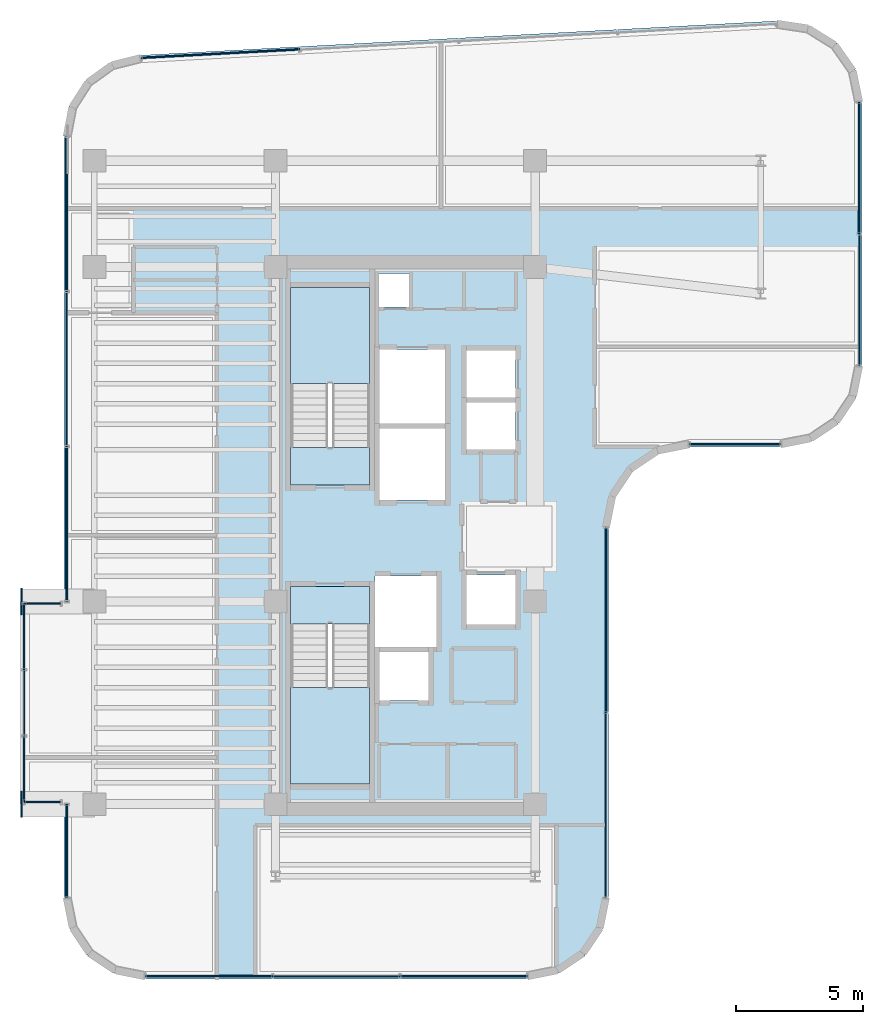
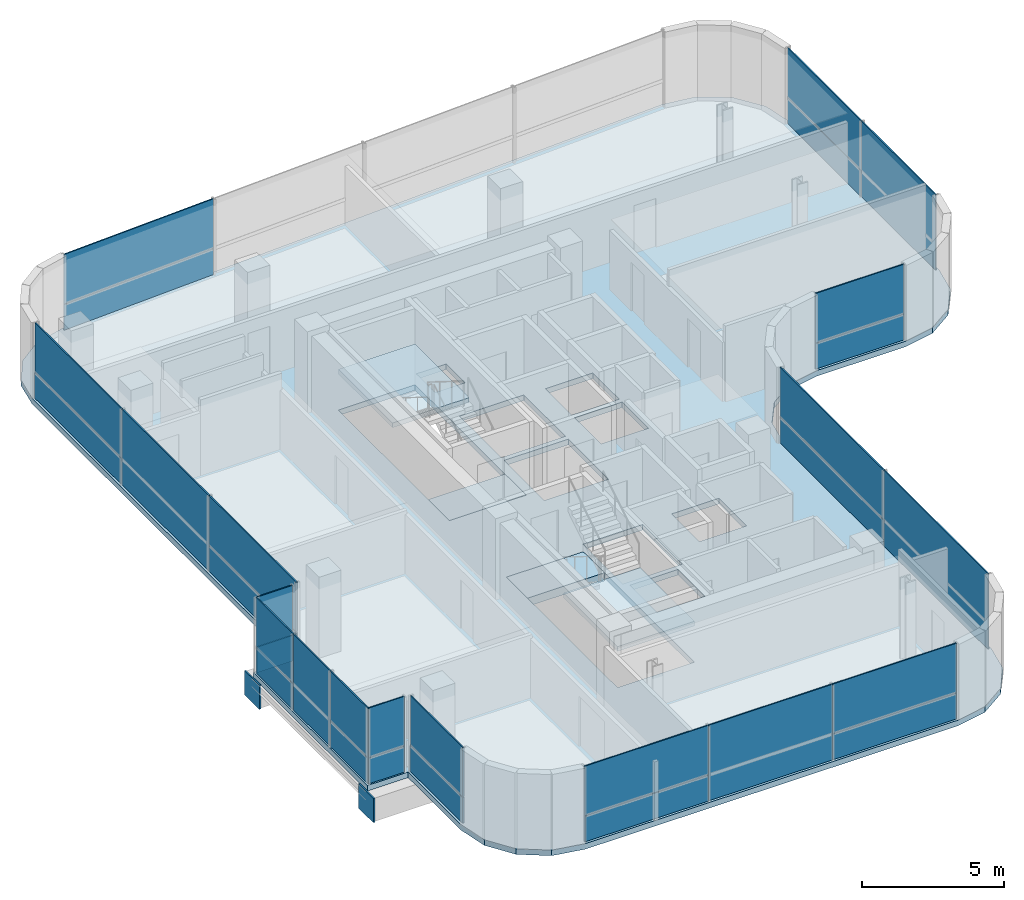
# One storey, part 17 of 22: 33 plates, 5 slabs, 12 elements without a shape of their own.
"""IFC4 building model written with IfcOpenShell, lengths in metres."""

import ifcopenshell
import ifcopenshell.guid

model = None  # the IFC model being written
_history = None  # IfcOwnerHistory: only IFC2X3 demands one
_inside = {}  # id of a spatial element -> (the spatial element, [elements in it])
_under = {}  # id of a project, library or spatial element -> (it, [spatial elements below it])
_declared = {}  # id of a project -> (the project, [libraries it declares])
_typed = {}  # id of a type object -> (the type object, [elements of that type])
_made_of = {}  # id of a material, layer set ... -> (it, [elements and type objects made of it])


def new_model(schema):
    """Start an empty IFC model of exactly this schema.

    Asked for "IFC4X3", IfcOpenShell would pick the latest addendum, in which some entities
    have other attributes; the version numbers below select the first issue.
    IFC2X3 requires an IfcOwnerHistory on every rooted entity: one is made here for all.
    """
    global model, _history
    if schema == "IFC4X3":
        model = ifcopenshell.file(schema_version=(4, 3, 0, 0))
    else:
        model = ifcopenshell.file(schema=schema)
    _inside.clear()
    _under.clear()
    _declared.clear()
    _typed.clear()
    _made_of.clear()
    _history = None
    if model.schema == "IFC2X3":
        org = make("IfcOrganization", Name="unknown")
        user = make(
            "IfcPersonAndOrganization",
            ThePerson=make("IfcPerson", FamilyName="unknown"),
            TheOrganization=org,
        )
        app = make(
            "IfcApplication",
            ApplicationDeveloper=org,
            Version="unknown",
            ApplicationFullName="unknown",
            ApplicationIdentifier="unknown",
        )
        _history = make(
            "IfcOwnerHistory",
            OwningUser=user,
            OwningApplication=app,
            ChangeAction="ADDED",
            CreationDate=0,
        )
    return model


def make(cls, **values):
    """One entity of the class cls with the attributes given. An attribute that is None is left unset."""
    return model.create_entity(
        cls, **{name: value for name, value in values.items() if value is not None}
    )


def rooted(cls, **values):
    """An entity with a GlobalId (a new one), such as an element, a storey or a relation."""
    return make(cls, GlobalId=ifcopenshell.guid.new(), OwnerHistory=_history, **values)


def si_unit(unit_type, name, prefix=None):
    """IfcSIUnit, for example si_unit("LENGTHUNIT", "METRE", prefix="MILLI")."""
    return make("IfcSIUnit", UnitType=unit_type, Prefix=prefix, Name=name)


def assignment(units):
    """IfcUnitAssignment: the units of a project."""
    return None if units is None else make("IfcUnitAssignment", Units=units)


def point(xyz):
    """IfcCartesianPoint."""
    return None if xyz is None else make("IfcCartesianPoint", Coordinates=xyz)


def direction(xyz):
    """IfcDirection."""
    return None if xyz is None else make("IfcDirection", DirectionRatios=xyz)


def frame(location, z_axis=None, x_axis=None):
    """IfcAxis2Placement3D, a coordinate frame: its origin and axes. An axis left out is left unset."""
    return make(
        "IfcAxis2Placement3D",
        Location=point(location),
        Axis=direction(z_axis),
        RefDirection=direction(x_axis),
    )


def frame_2d(location, x_axis=None):
    """IfcAxis2Placement2D, a coordinate frame in the plane: its origin and x axis."""
    return make(
        "IfcAxis2Placement2D", Location=point(location), RefDirection=direction(x_axis)
    )


def origin():
    """The frame at (0, 0, 0) with its axes left unset."""
    return frame((0.0, 0.0, 0.0))


def origin_2d():
    """The frame at (0, 0) in the plane with its x axis left unset."""
    return frame_2d((0.0, 0.0))


def place(relative_to, where):
    """IfcLocalPlacement: puts the frame where relative to a parent placement (None: the world)."""
    return make(
        "IfcLocalPlacement", PlacementRelTo=relative_to, RelativePlacement=where
    )


def context(
    kind, dimensions, precision=None, world=None, true_north=None, identifier=None
):
    """IfcGeometricRepresentationContext, for example the 3D "Model" context."""
    return make(
        "IfcGeometricRepresentationContext",
        ContextIdentifier=identifier,
        ContextType=kind,
        CoordinateSpaceDimension=dimensions,
        Precision=precision,
        WorldCoordinateSystem=world,
        TrueNorth=true_north,
    )


def subcontext(parent, identifier, kind, view, scale=None):
    """IfcGeometricRepresentationSubContext, for example "Body" below "Model"."""
    return make(
        "IfcGeometricRepresentationSubContext",
        ContextIdentifier=identifier,
        ContextType=kind,
        ParentContext=parent,
        TargetScale=scale,
        TargetView=view,
    )


def project(units=None, contexts=None):
    """IfcProject with its units and contexts."""
    return rooted(
        "IfcProject",
        Name="project",
        RepresentationContexts=contexts,
        UnitsInContext=assignment(units),
    )


def spatial(cls, under=None, at=None, **own):
    """A site, building, storey or space (cls), placed at a placement, below another one or the project."""
    s = rooted(cls, ObjectPlacement=at, **own)
    if under is not None:
        _under.setdefault(under.id(), (under, []))[1].append(s)
    return s


def polyline(points):
    """IfcPolyline through the points."""
    return make("IfcPolyline", Points=[point(p) for p in points])


def profile(cls, at=None, kind="AREA", **sizes):
    """A parametric profile (cls). Its sizes go by their IFC names, for example OverallWidth=200.0."""
    return make(cls, ProfileType=kind, Position=at, **sizes)


def rectangle(**sizes):
    """IfcRectangleProfileDef."""
    return profile("IfcRectangleProfileDef", **sizes)


def outline(outer, holes=None, kind="AREA"):
    """IfcArbitraryClosedProfileDef: a profile drawn as a closed curve; with holes, ...WithVoids."""
    if holes is None:
        return make("IfcArbitraryClosedProfileDef", ProfileType=kind, OuterCurve=outer)
    return make(
        "IfcArbitraryProfileDefWithVoids",
        ProfileType=kind,
        OuterCurve=outer,
        InnerCurves=holes,
    )


def extrude(swept, where, along, depth):
    """IfcExtrudedAreaSolid: the profile swept, set in the frame where, extruded along a direction by depth."""
    return make(
        "IfcExtrudedAreaSolid",
        SweptArea=swept,
        Position=where,
        ExtrudedDirection=direction(along),
        Depth=depth,
    )


def shape(context_of_items, identifier, shape_type, items):
    """IfcShapeRepresentation: the items that make up one representation, for example the "Body"."""
    return make(
        "IfcShapeRepresentation",
        ContextOfItems=context_of_items,
        RepresentationIdentifier=identifier,
        RepresentationType=shape_type,
        Items=items,
    )


def source(mapping_origin, context_of_items, identifier, shape_type, items):
    """IfcRepresentationMap: a shape defined once, which mapped items show again and again."""
    return make(
        "IfcRepresentationMap",
        MappingOrigin=mapping_origin,
        MappedRepresentation=shape(context_of_items, identifier, shape_type, items),
    )


def transform(
    local_origin,
    x_axis=None,
    y_axis=None,
    z_axis=None,
    scale=None,
    scale2=None,
    scale3=None,
    uniform=True,
):
    """IfcCartesianTransformationOperator3D, or its non-uniform kind. x_axis, y_axis, z_axis: its Axis1, 2, 3."""
    if uniform:
        return make(
            "IfcCartesianTransformationOperator3D",
            Axis1=direction(x_axis),
            Axis2=direction(y_axis),
            LocalOrigin=point(local_origin),
            Scale=scale,
            Axis3=direction(z_axis),
        )
    return make(
        "IfcCartesianTransformationOperator3DnonUniform",
        Axis1=direction(x_axis),
        Axis2=direction(y_axis),
        LocalOrigin=point(local_origin),
        Scale=scale,
        Axis3=direction(z_axis),
        Scale2=scale2,
        Scale3=scale3,
    )


def mapped(mapping_source, mapping_target):
    """IfcMappedItem: shows the shape of a source again, moved by a transform."""
    return make(
        "IfcMappedItem", MappingSource=mapping_source, MappingTarget=mapping_target
    )


def material(Name=None, Category=None):
    """IfcMaterial."""
    return make("IfcMaterial", Name=Name, Category=Category)


def layer(
    of_material, thickness, ventilated=None, Name=None, Category=None, Priority=None
):
    """IfcMaterialLayer: one layer of a wall or slab, of a material (None: an air gap)."""
    return make(
        "IfcMaterialLayer",
        Material=of_material,
        LayerThickness=thickness,
        IsVentilated=ventilated,
        Name=Name,
        Category=Category,
        Priority=Priority,
    )


def layer_set(layers, Name=None):
    """IfcMaterialLayerSet."""
    return make("IfcMaterialLayerSet", MaterialLayers=layers, LayerSetName=Name)


def made_of(thing, what):
    """Note that an element or type object is made of a material, layer set ...; save() writes the relation."""
    if what is not None:
        _made_of.setdefault(what.id(), (what, []))[1].append(thing)
    return thing


def type_object(cls, material=None, **own):
    """A type object (cls), such as IfcWallType, which elements share."""
    return made_of(rooted(cls, **own), material)


def element(
    cls,
    number,
    at=None,
    inside=None,
    cuts=None,
    type_object=None,
    material=None,
    context=None,
    identifier="Body",
    shape_type=None,
    held_by="IfcProductDefinitionShape",
    body=None,
    shapes=None,
    **own,
):
    """One element of the class cls, such as IfcWall. Its Tag is "e" and its number.

    at: its placement. inside: the storey or other place that contains it. cuts: it is an
    opening in that element (IfcRelVoidsElement). A single representation is given by context,
    identifier, shape_type and body (its items); several are given by shapes. held_by: the class
    of the entity that holds the representations. save() writes the other relations.
    """
    e = rooted(cls, Tag="e%d" % number, ObjectPlacement=at, **own)
    if body is not None:
        shapes = [shape(context, identifier, shape_type, body)]
    if shapes is not None:
        e.Representation = make(held_by, Representations=shapes)
    if inside is not None:
        _inside.setdefault(inside.id(), (inside, []))[1].append(e)
    if cuts is not None:
        rooted(
            "IfcRelVoidsElement", RelatingBuildingElement=cuts, RelatedOpeningElement=e
        )
    if type_object is not None:
        _typed.setdefault(type_object.id(), (type_object, []))[1].append(e)
    return made_of(e, material)


def aggregate(whole, parts):
    """IfcRelAggregates: a whole, such as a stair, and the parts it consists of."""
    return rooted("IfcRelAggregates", RelatingObject=whole, RelatedObjects=parts)


def save(model, path):
    """Write the relations noted so far, then the file.

    IfcRelAggregates (storeys below a building ...), IfcRelContainedInSpatialStructure (elements
    in a storey), IfcRelDefinesByType, IfcRelAssociatesMaterial and IfcRelDeclares: one each for
    every whole, place, type object, material and project.
    """
    for whole, parts in _under.values():
        aggregate(whole, parts)
    for where, things in _inside.values():
        rooted(
            "IfcRelContainedInSpatialStructure",
            RelatedElements=things,
            RelatingStructure=where,
        )
    for kind, things in _typed.values():
        rooted("IfcRelDefinesByType", RelatedObjects=things, RelatingType=kind)
    for what, things in _made_of.values():
        rooted("IfcRelAssociatesMaterial", RelatedObjects=things, RelatingMaterial=what)
    for by, libraries in _declared.values():
        rooted("IfcRelDeclares", RelatingContext=by, RelatedDefinitions=libraries)
    model.write(path)


model = new_model("IFC4")

# Units and contexts
model_context = context("Model", 3, precision=1e-05, world=origin(), true_north=direction((0.0, 1.0)))
body_context = subcontext(model_context, "Body", "Model", "MODEL_VIEW")
ifc_project = project(units=[si_unit("LENGTHUNIT", "METRE"), si_unit("AREAUNIT", "SQUARE_METRE"), si_unit("VOLUMEUNIT", "CUBIC_METRE"), si_unit("PLANEANGLEUNIT", "RADIAN"), si_unit("MASSUNIT", "GRAM", prefix="KILO")], contexts=[model_context])

# Site, building, storey
site_placement = place(None, origin())
site = spatial("IfcSite", under=ifc_project, at=site_placement, CompositionType="ELEMENT")
building_placement = place(site_placement, origin())
building = spatial("IfcBuilding", under=site, at=building_placement, Name="Valdorenza Pilgrim Sanctuary Tower", CompositionType="ELEMENT")
storey_placement = place(building_placement, frame((0.0, 0.0, 237.0)))
storey = spatial("IfcBuildingStorey", under=building, at=storey_placement, Name="L61", CompositionType="ELEMENT", Elevation=237.0)

# Slab
ifc_material_1 = material(Name="Concrete C40/50", Category="concrete")
ifc_layer_1 = layer(ifc_material_1, 0.239990234375, Name="Concrete C40/50")
ifc_layer_set_1 = layer_set([ifc_layer_1], Name="Concrete C40/50")
slab_type_1 = type_object("IfcSlabType", Name="SLAB-FLR-220", PredefinedType="FLOOR", material=ifc_layer_set_1)
slab_1_placement = place(storey_placement, frame((0.0, 0.0, -0.239990234375)))
element("IfcSlab", 1, at=slab_1_placement, inside=storey, type_object=slab_type_1, Name="L61 Structural Floor Slab 1", PredefinedType="FLOOR", context=body_context, shape_type="SweptSolid", body=[
    extrude(outline(polyline([(-32.64990234375, -2.60009765625), (-31.0, -2.60009765625), (-31.0, 15.76806640625), (-30.772705078125, 16.95263671875), (-30.122802734375, 17.968994140625), (-29.14306640625, 18.672607421875), (-27.972412109375, 18.96337890625), (-2.872314453125, 20.318115234375), (-1.595947265625, 20.126220703125), (-0.4990234375, 19.445556640625), (0.239501953125, 18.386962890625), (0.5, 17.12255859375), (0.5, 6.699951171875), (0.25634765625, 5.475341796875), (-0.437255859375, 4.437255859375), (-1.475341796875, 3.74365234375), (-2.699951171875, 3.5), (-6.300048828125, 3.5), (-7.524658203125, 3.25634765625), (-8.562744140625, 2.562744140625), (-9.25634765625, 1.524658203125), (-9.5, 0.300048828125), (-9.5, -14.300048828125), (-9.74365234375, -15.524658203125), (-10.437255859375, -16.562744140625), (-11.475341796875, -17.25634765625), (-12.699951171875, -17.5), (-27.800048828125, -17.5), (-29.024658203125, -17.25634765625), (-30.062744140625, -16.562744140625), (-30.75634765625, -15.524658203125), (-31.0, -14.300048828125), (-31.0, -10.60009765625), (-32.64990234375, -10.60009765625), (-32.64990234375, -2.60009765625)]), holes=[polyline([(-22.050048828125, -9.800048828125), (-18.93994140625, -9.800048828125), (-18.93994140625, -3.485107421875), (-18.93994140625, -2.0), (-22.050048828125, -2.0), (-22.050048828125, -3.485107421875), (-22.050048828125, -9.800048828125)]), polyline([(-16.60009765625, -6.5), (-16.60009765625, -4.60009765625), (-18.550048828125, -4.60009765625), (-18.550048828125, -6.5), (-16.60009765625, -6.5)]), polyline([(-22.050048828125, 2.0), (-18.93994140625, 2.0), (-18.93994140625, 3.485107421875), (-18.93994140625, 9.800048828125), (-22.050048828125, 9.800048828125), (-22.050048828125, 3.485107421875), (-22.050048828125, 2.0)]), polyline([(-17.360107421875, 9.030029296875), (-17.360107421875, 10.35009765625), (-18.570068359375, 10.35009765625), (-18.570068359375, 9.030029296875), (-17.360107421875, 9.030029296875)]), polyline([(-16.300048828125, -1.60009765625), (-18.719970703125, -1.60009765625), (-18.719970703125, -4.39990234375), (-16.300048828125, -4.39990234375), (-16.300048828125, -1.60009765625)]), polyline([(-13.179931640625, -3.5), (-13.179931640625, -1.550048828125), (-15.10009765625, -1.550048828125), (-15.10009765625, -3.5), (-13.179931640625, -3.5)]), polyline([(-15.949951171875, 1.39990234375), (-15.949951171875, 4.22509765625), (-18.550048828125, 4.22509765625), (-18.550048828125, 1.39990234375), (-15.949951171875, 1.39990234375)]), polyline([(-13.179931640625, 5.25), (-15.10009765625, 5.25), (-15.10009765625, 3.39990234375), (-13.179931640625, 3.39990234375), (-13.179931640625, 5.25)]), polyline([(-15.949951171875, 4.425048828125), (-15.949951171875, 7.35009765625), (-18.550048828125, 7.35009765625), (-18.550048828125, 4.425048828125), (-15.949951171875, 4.425048828125)]), polyline([(-13.179931640625, 5.449951171875), (-13.179931640625, 7.300048828125), (-15.10009765625, 7.300048828125), (-15.10009765625, 5.449951171875), (-13.179931640625, 5.449951171875)])]), origin(), (0.0, 0.0, 1.0), 0.239990234375),
])

# Stair, slab
stair_type = type_object("IfcStairType", Name="STR-DOG-CORE", PredefinedType="HALF_TURN_STAIR", material=ifc_material_1)
stair_1_placement = place(storey_placement, origin())
stair_1 = element("IfcStair", 2, at=stair_1_placement, inside=storey, type_object=stair_type, Name="L61 ST-A1", PredefinedType="HALF_TURN_STAIR")
ifc_layer_2 = layer(ifc_material_1, 0.199951171875, Name="Concrete C40/50")
ifc_layer_set_2 = layer_set([ifc_layer_2], Name="Concrete C40/50")
slab_type_2 = type_object("IfcSlabType", Name="SLAB-STL-200", PredefinedType="LANDING", material=ifc_layer_set_2)
slab_2_placement = place(storey_placement, frame((0.0, 0.0, 1.550048828125)))
slab_2 = element("IfcSlab", 3, at=slab_2_placement, type_object=slab_type_2, Name="ST-A1 landing 1", PredefinedType="LANDING", context=body_context, shape_type="SweptSolid", body=[
    extrude(outline(polyline([(-18.93994140625, 6.0), (-18.93994140625, 9.800048828125), (-22.050048828125, 9.800048828125), (-22.050048828125, 6.0), (-18.93994140625, 6.0)])), origin(), (0.0, 0.0, 1.0), 0.199951171875),
])
aggregate(stair_1, [slab_2])

stair_2_placement = place(storey_placement, origin())
stair_2 = element("IfcStair", 4, at=stair_2_placement, inside=storey, type_object=stair_type, Name="L61 ST-A2", PredefinedType="HALF_TURN_STAIR")
slab_3_placement = place(storey_placement, frame((0.0, 0.0, 1.550048828125)))
slab_3 = element("IfcSlab", 5, at=slab_3_placement, type_object=slab_type_2, Name="ST-A2 landing 1", PredefinedType="LANDING", context=body_context, shape_type="SweptSolid", body=[
    extrude(outline(polyline([(-22.050048828125, -6.0), (-22.050048828125, -9.800048828125), (-18.93994140625, -9.800048828125), (-18.93994140625, -6.0), (-22.050048828125, -6.0)])), origin(), (0.0, 0.0, 1.0), 0.199951171875),
])
aggregate(stair_2, [slab_3])

# Slabs
ifc_material_2 = material(Name="Concrete C50/60", Category="concrete")
ifc_layer_3 = layer(ifc_material_2, 0.39990234375, Name="Concrete C50/60")
ifc_layer_set_3 = layer_set([ifc_layer_3], Name="Concrete C50/60")
slab_type_3 = type_object("IfcSlabType", Name="SLAB-TRF-400", PredefinedType="FLOOR", material=ifc_layer_set_3)
slab_4_placement = place(storey_placement, frame((0.0, 0.0, -0.360107421875)))
element("IfcSlab", 6, at=slab_4_placement, inside=storey, type_object=slab_type_3, Name="L61 ST-A1 Structural Stair Landing Bearing Slab", PredefinedType="FLOOR", context=body_context, shape_type="SweptSolid", body=[
    extrude(outline(polyline([(-22.050048828125, 2.0), (-18.93994140625, 2.0), (-18.93994140625, 3.485107421875), (-22.050048828125, 3.485107421875), (-22.050048828125, 2.0)])), origin(), (0.0, 0.0, 1.0), 0.360107421875),
])
slab_5_placement = place(storey_placement, frame((0.0, 0.0, -0.360107421875)))
element("IfcSlab", 7, at=slab_5_placement, inside=storey, type_object=slab_type_3, Name="L61 ST-A2 Structural Stair Landing Bearing Slab", PredefinedType="FLOOR", context=body_context, shape_type="SweptSolid", body=[
    extrude(outline(polyline([(-22.050048828125, -3.485107421875), (-18.93994140625, -3.485107421875), (-18.93994140625, -2.0), (-22.050048828125, -2.0), (-22.050048828125, -3.485107421875)])), origin(), (0.0, 0.0, 1.0), 0.360107421875),
])

# Plates
ifc_material_3 = material(Name="Steel ASTM A572 Grade 42", Category="steel")
ifc_layer_4 = layer(ifc_material_3, 0.06005859375, Name="Steel ASTM A572 Grade 42")
ifc_layer_set_4 = layer_set([ifc_layer_4], Name="Steel ASTM A572 Grade 42")
plate_type_1 = type_object("IfcPlateType", Name="PLT-CAP-60", PredefinedType="SHEET", material=ifc_layer_set_4)
shared_shape_1 = source(origin(), body_context, "Body", "SweptSolid", [
    extrude(rectangle(XDim=0.06005859375, YDim=1.0400390625, at=origin_2d()), origin(), (0.0, 0.0, 1.0), 1.0400390625),
])
for number, where, z_axis, x_axis, name in (
    (8, (-32.679931640625, -2.60009765625, -1.260009765625), (0.0, 0.0, 1.0), (1.0, 0.0, 0.0), "L61 BOX-WA-L61 Cantilever Tip End Cap N"),
    (9, (-32.679931640625, -10.60009765625, -1.260009765625), (0.0, 0.0, 1.0), (1.0, 0.0, 0.0), "L61 BOX-WA-L61 Cantilever Tip End Cap S"),
):
    element("IfcPlate", number, at=place(storey_placement, frame(where, z_axis=z_axis, x_axis=x_axis)), inside=storey, type_object=plate_type_1, Name=name, PredefinedType="SHEET", context=body_context, shape_type="MappedRepresentation", body=[
        mapped(shared_shape_1, transform((0.0, 0.0, 0.0), x_axis=(1.0, 0.0, 0.0), y_axis=(0.0, 1.0, 0.0), z_axis=(0.0, 0.0, 1.0), scale=1.0)),
    ])

# Curtain wall, plate
ifc_material_4 = material(Name="Curtain-wall IGU glazing", Category="glass")
curtain_wall_type = type_object("IfcCurtainWallType", Name="CW-SYS-02", PredefinedType="NOTDEFINED", material=ifc_material_4)
curtain_wall_1_placement = place(storey_placement, origin())
curtain_wall_1 = element("IfcCurtainWall", 10, at=curtain_wall_1_placement, inside=storey, type_object=curtain_wall_type, Name="L61 Curtain Wall CW-L61-BOX-WA-L61-S", PredefinedType="NOTDEFINED")
ifc_material_5 = material(Name="Honed travertine limestone", Category="masonry")
ifc_layer_5 = layer(ifc_material_5, 0.050048828125, Name="Honed travertine limestone")
ifc_layer_set_5 = layer_set([ifc_layer_5], Name="Honed travertine limestone")
plate_type_2 = type_object("IfcPlateType", Name="CW-SPN-TRV", PredefinedType="USERDEFINED", material=ifc_layer_set_5)
shared_shape_2 = source(origin(), body_context, "Body", "SweptSolid", [
    extrude(rectangle(XDim=1.43994140625, YDim=0.06005859375, at=origin_2d()), origin(), (0.0, 0.0, 1.0), 1.10009765625),
])
plate_1_placement = place(storey_placement, frame((-31.840087890625, -10.52001953125, 0.010009765625), z_axis=(0.0, 0.0, 1.0), x_axis=(-1.0, 0.0, 0.0)))
plate_1 = element("IfcPlate", 11, at=plate_1_placement, type_object=plate_type_2, Name="CW-L61-BOX-WA-L61-S Travertine Spandrel 1", ObjectType="SPANDREL", PredefinedType="USERDEFINED", context=body_context, shape_type="MappedRepresentation", body=[
    mapped(shared_shape_2, transform((0.0, 0.0, 0.0), x_axis=(1.0, 0.0, 0.0), y_axis=(0.0, 1.0, 0.0), z_axis=(0.0, 0.0, 1.0), scale=1.0)),
])

curtain_wall_2_placement = place(storey_placement, origin())
curtain_wall_2 = element("IfcCurtainWall", 12, at=curtain_wall_2_placement, inside=storey, type_object=curtain_wall_type, Name="L61 Curtain Wall CW-L61-BOX-WA-L61-N", PredefinedType="NOTDEFINED")
plate_2_placement = place(storey_placement, frame((-31.840087890625, -2.679931640625, 0.010009765625), z_axis=(0.0, 0.0, 1.0), x_axis=(1.0, 0.0, 0.0)))
plate_2 = element("IfcPlate", 13, at=plate_2_placement, type_object=plate_type_2, Name="CW-L61-BOX-WA-L61-N Travertine Spandrel 1", ObjectType="SPANDREL", PredefinedType="USERDEFINED", context=body_context, shape_type="MappedRepresentation", body=[
    mapped(shared_shape_2, transform((0.0, 0.0, 0.0), x_axis=(1.0, 0.0, 0.0), y_axis=(0.0, 1.0, 0.0), z_axis=(0.0, 0.0, 1.0), scale=1.0)),
])

# Curtain wall, plates
curtain_wall_3_placement = place(storey_placement, origin())
curtain_wall_3 = element("IfcCurtainWall", 14, at=curtain_wall_3_placement, inside=storey, type_object=curtain_wall_type, Name="L61 Curtain Wall CW-L61-BOX-WA-L61-F", PredefinedType="NOTDEFINED")
shared_shape_3 = source(origin(), body_context, "Body", "SweptSolid", [
    extrude(rectangle(XDim=2.59326171875, YDim=0.06005859375, at=origin_2d()), origin(), (0.0, 0.0, 1.0), 1.10009765625),
])
plate_3_placement = place(storey_placement, frame((-32.570068359375, -9.21337890625, 0.010009765625), z_axis=(0.0, 0.0, 1.0), x_axis=(0.0, 1.0, 0.0)))
plate_3 = element("IfcPlate", 15, at=plate_3_placement, type_object=plate_type_2, Name="CW-L61-BOX-WA-L61-F Travertine Spandrel 1", ObjectType="SPANDREL", PredefinedType="USERDEFINED", context=body_context, shape_type="MappedRepresentation", body=[
    mapped(shared_shape_3, transform((0.0, 0.0, 0.0), x_axis=(1.0, 0.0, 0.0), y_axis=(0.0, 1.0, 0.0), z_axis=(0.0, 0.0, 1.0), scale=1.0)),
])
plate_4_placement = place(storey_placement, frame((-32.570068359375, -3.98681640625, 0.010009765625), z_axis=(0.0, 0.0, 1.0), x_axis=(0.0, 1.0, 0.0)))
plate_4 = element("IfcPlate", 16, at=plate_4_placement, type_object=plate_type_2, Name="CW-L61-BOX-WA-L61-F Travertine Spandrel 3", ObjectType="SPANDREL", PredefinedType="USERDEFINED", context=body_context, shape_type="MappedRepresentation", body=[
    mapped(shared_shape_3, transform((0.0, 0.0, 0.0), x_axis=(1.0, 0.0, 0.0), y_axis=(0.0, 1.0, 0.0), z_axis=(0.0, 0.0, 1.0), scale=1.0)),
])

curtain_wall_4_placement = place(storey_placement, origin())
curtain_wall_4 = element("IfcCurtainWall", 17, at=curtain_wall_4_placement, inside=storey, type_object=curtain_wall_type, Name="L61 Curtain Wall CW-L61-1-26", PredefinedType="NOTDEFINED")
shared_shape_4 = source(origin(), body_context, "Body", "SweptSolid", [
    extrude(rectangle(XDim=5.006103515625, YDim=0.06005859375, at=origin_2d()), origin(), (0.0, 0.0, 1.0), 1.10009765625),
])
plate_5_placement = place(storey_placement, frame((-15.223876953125, -17.389892578125, 0.010009765625), z_axis=(0.0, 0.0, 1.0), x_axis=(-1.0, 0.0, 0.0)))
plate_5 = element("IfcPlate", 18, at=plate_5_placement, type_object=plate_type_2, Name="CW-L61-1-26 Travertine Spandrel 1", ObjectType="SPANDREL", PredefinedType="USERDEFINED", context=body_context, shape_type="MappedRepresentation", body=[
    mapped(shared_shape_4, transform((0.0, 0.0, 0.0), x_axis=(1.0, 0.0, 0.0), y_axis=(0.0, 1.0, 0.0), z_axis=(0.0, 0.0, 1.0), scale=1.0)),
])
plate_6_placement = place(storey_placement, frame((-25.276123046875, -17.389892578125, 0.010009765625), z_axis=(0.0, 0.0, 1.0), x_axis=(-1.0, 0.0, 0.0)))
plate_6 = element("IfcPlate", 19, at=plate_6_placement, type_object=plate_type_2, Name="CW-L61-1-26 Travertine Spandrel 3", ObjectType="SPANDREL", PredefinedType="USERDEFINED", context=body_context, shape_type="MappedRepresentation", body=[
    mapped(shared_shape_4, transform((0.0, 0.0, 0.0), x_axis=(1.0, 0.0, 0.0), y_axis=(0.0, 1.0, 0.0), z_axis=(0.0, 0.0, 1.0), scale=1.0)),
])

# Curtain wall, plate
curtain_wall_5_placement = place(storey_placement, origin())
curtain_wall_5 = element("IfcCurtainWall", 20, at=curtain_wall_5_placement, inside=storey, type_object=curtain_wall_type, Name="L61 Curtain Wall CW-L61-1-1S1", PredefinedType="NOTDEFINED")
shared_shape_5 = source(origin(), body_context, "Body", "SweptSolid", [
    extrude(rectangle(XDim=3.669189453125, YDim=0.06005859375, at=origin_2d()), origin(), (0.0, 0.0, 1.0), 1.10009765625),
])
plate_7_placement = place(storey_placement, frame((-30.889892578125, -12.444580078125, 0.010009765625), z_axis=(0.0, 0.0, 1.0), x_axis=(0.0, 1.0, 0.0)))
plate_7 = element("IfcPlate", 21, at=plate_7_placement, type_object=plate_type_2, Name="CW-L61-1-1S1 Travertine Spandrel 1", ObjectType="SPANDREL", PredefinedType="USERDEFINED", context=body_context, shape_type="MappedRepresentation", body=[
    mapped(shared_shape_5, transform((0.0, 0.0, 0.0), x_axis=(1.0, 0.0, 0.0), y_axis=(0.0, 1.0, 0.0), z_axis=(0.0, 0.0, 1.0), scale=1.0)),
])

curtain_wall_6_placement = place(storey_placement, origin())
curtain_wall_6 = element("IfcCurtainWall", 22, at=curtain_wall_6_placement, inside=storey, type_object=curtain_wall_type, Name="L61 Curtain Wall CW-L61-1-6", PredefinedType="NOTDEFINED")
shared_shape_6 = source(origin(), body_context, "Body", "SweptSolid", [
    extrude(rectangle(XDim=6.2587890625, YDim=0.06005859375, at=origin_2d()), origin(), (0.0, 0.0, 1.0), 1.10009765625),
])
plate_8_placement = place(storey_placement, frame((-24.8212890625, 19.023193359375, 0.010009765625), z_axis=(0.0, 0.0, 1.0), x_axis=(0.998547034311, 0.053887106711, 0.0)))
plate_8 = element("IfcPlate", 23, at=plate_8_placement, type_object=plate_type_2, Name="CW-L61-1-6 Travertine Spandrel 1", ObjectType="SPANDREL", PredefinedType="USERDEFINED", context=body_context, shape_type="MappedRepresentation", body=[
    mapped(shared_shape_6, transform((0.0, 0.0, 0.0), x_axis=(1.0, 0.0, 0.0), y_axis=(0.0, 1.0, 0.0), z_axis=(0.0, 0.0, 1.0), scale=1.0)),
])

curtain_wall_7_placement = place(storey_placement, origin())
curtain_wall_7 = element("IfcCurtainWall", 24, at=curtain_wall_7_placement, inside=storey, type_object=curtain_wall_type, Name="L61 Curtain Wall CW-L61-1-16", PredefinedType="NOTDEFINED")
shared_shape_7 = source(origin(), body_context, "Body", "SweptSolid", [
    extrude(rectangle(XDim=3.580078125, YDim=0.06005859375, at=origin_2d()), origin(), (0.0, 0.0, 1.0), 1.10009765625),
])
plate_9_placement = place(storey_placement, frame((-4.5107421875, 3.610107421875, 0.010009765625), z_axis=(0.0, 0.0, 1.0), x_axis=(-1.0, 0.0, 0.0)))
plate_9 = element("IfcPlate", 25, at=plate_9_placement, type_object=plate_type_2, Name="CW-L61-1-16 Travertine Spandrel 1", ObjectType="SPANDREL", PredefinedType="USERDEFINED", context=body_context, shape_type="MappedRepresentation", body=[
    mapped(shared_shape_7, transform((0.0, 0.0, 0.0), x_axis=(1.0, 0.0, 0.0), y_axis=(0.0, 1.0, 0.0), z_axis=(0.0, 0.0, 1.0), scale=1.0)),
])

curtain_wall_8_placement = place(storey_placement, origin())
curtain_wall_8 = element("IfcCurtainWall", 26, at=curtain_wall_8_placement, inside=storey, type_object=curtain_wall_type, Name="L61 Curtain Wall CW-L61-1-21", PredefinedType="NOTDEFINED")
shared_shape_8 = source(origin(), body_context, "Body", "SweptSolid", [
    extrude(rectangle(XDim=7.280029296875, YDim=0.06005859375, at=origin_2d()), origin(), (0.0, 0.0, 1.0), 1.10009765625),
])
plate_10_placement = place(storey_placement, frame((-9.610107421875, -3.339111328125, 0.010009765625), z_axis=(0.0, 0.0, 1.0), x_axis=(0.0, -1.0, 0.0)))
plate_10 = element("IfcPlate", 27, at=plate_10_placement, type_object=plate_type_2, Name="CW-L61-1-21 Travertine Spandrel 1", ObjectType="SPANDREL", PredefinedType="USERDEFINED", context=body_context, shape_type="MappedRepresentation", body=[
    mapped(shared_shape_8, transform((0.0, 0.0, 0.0), x_axis=(1.0, 0.0, 0.0), y_axis=(0.0, 1.0, 0.0), z_axis=(0.0, 0.0, 1.0), scale=1.0)),
])

curtain_wall_9_placement = place(storey_placement, origin())
curtain_wall_9 = element("IfcCurtainWall", 28, at=curtain_wall_9_placement, inside=storey, type_object=curtain_wall_type, Name="L61 Curtain Wall CW-L61-1-11", PredefinedType="NOTDEFINED")
shared_shape_9 = source(origin(), body_context, "Body", "SweptSolid", [
    extrude(rectangle(XDim=5.180419921875, YDim=0.06005859375, at=origin_2d()), origin(), (0.0, 0.0, 1.0), 1.10009765625),
])
plate_11_placement = place(storey_placement, frame((0.389892578125, 14.51123046875, 0.010009765625), z_axis=(0.0, 0.0, 1.0), x_axis=(0.0, -1.0, 0.0)))
plate_11 = element("IfcPlate", 29, at=plate_11_placement, type_object=plate_type_2, Name="CW-L61-1-11 Travertine Spandrel 1", ObjectType="SPANDREL", PredefinedType="USERDEFINED", context=body_context, shape_type="MappedRepresentation", body=[
    mapped(shared_shape_9, transform((0.0, 0.0, 0.0), x_axis=(1.0, 0.0, 0.0), y_axis=(0.0, 1.0, 0.0), z_axis=(0.0, 0.0, 1.0), scale=1.0)),
])

# Plate
ifc_material_6 = material(Name="Ceramic-fritted low-E IGU glazing", Category="glass")
ifc_layer_6 = layer(ifc_material_6, 0.035888671875, Name="Ceramic-fritted low-E IGU glazing")
ifc_layer_set_6 = layer_set([ifc_layer_6], Name="Ceramic-fritted low-E IGU glazing")
plate_type_3 = type_object("IfcPlateType", Name="CW-GLZ-IGU", PredefinedType="USERDEFINED", material=ifc_layer_set_6)
shared_shape_10 = source(origin(), body_context, "Body", "SweptSolid", [
    extrude(rectangle(XDim=3.669189453125, YDim=0.050048828125, at=origin_2d()), origin(), (0.0, 0.0, 1.0), 2.1201171875),
])
plate_12_placement = place(storey_placement, frame((-30.889892578125, -12.444580078125, 1.1298828125), z_axis=(0.0, 0.0, 1.0), x_axis=(0.0, 1.0, 0.0)))
plate_12 = element("IfcPlate", 30, at=plate_12_placement, type_object=plate_type_3, Name="CW-L61-1-1S1 Facade Panel 1", ObjectType="GLAZING", PredefinedType="USERDEFINED", context=body_context, shape_type="MappedRepresentation", body=[
    mapped(shared_shape_10, transform((0.0, 0.0, 0.0), x_axis=(1.0, 0.0, 0.0), y_axis=(0.0, 1.0, 0.0), z_axis=(0.0, 0.0, 1.0), scale=1.0)),
])

aggregate(curtain_wall_5, [plate_7, plate_12])

# Curtain wall, plates
curtain_wall_10_placement = place(storey_placement, origin())
curtain_wall_10 = element("IfcCurtainWall", 31, at=curtain_wall_10_placement, inside=storey, type_object=curtain_wall_type, Name="L61 Curtain Wall CW-L61-1-1S2", PredefinedType="NOTDEFINED")
shared_shape_11 = source(origin(), body_context, "Body", "SweptSolid", [
    extrude(rectangle(XDim=6.09912109375, YDim=0.06005859375, at=origin_2d()), origin(), (0.0, 0.0, 1.0), 1.10009765625),
])
plate_13_placement = place(storey_placement, frame((-30.889892578125, 0.459716796875, 0.010009765625), z_axis=(0.0, 0.0, 1.0), x_axis=(0.0, 1.0, 0.0)))
plate_13 = element("IfcPlate", 32, at=plate_13_placement, type_object=plate_type_2, Name="CW-L61-1-1S2 Travertine Spandrel 1", ObjectType="SPANDREL", PredefinedType="USERDEFINED", context=body_context, shape_type="MappedRepresentation", body=[
    mapped(shared_shape_11, transform((0.0, 0.0, 0.0), x_axis=(1.0, 0.0, 0.0), y_axis=(0.0, 1.0, 0.0), z_axis=(0.0, 0.0, 1.0), scale=1.0)),
])
plate_14_placement = place(storey_placement, frame((-30.889892578125, 12.697998046875, 0.010009765625), z_axis=(0.0, 0.0, 1.0), x_axis=(0.0, 1.0, 0.0)))
plate_14 = element("IfcPlate", 33, at=plate_14_placement, type_object=plate_type_2, Name="CW-L61-1-1S2 Travertine Spandrel 3", ObjectType="SPANDREL", PredefinedType="USERDEFINED", context=body_context, shape_type="MappedRepresentation", body=[
    mapped(shared_shape_11, transform((0.0, 0.0, 0.0), x_axis=(1.0, 0.0, 0.0), y_axis=(0.0, 1.0, 0.0), z_axis=(0.0, 0.0, 1.0), scale=1.0)),
])
shared_shape_12 = source(origin(), body_context, "Body", "SweptSolid", [
    extrude(rectangle(XDim=6.09912109375, YDim=0.050048828125, at=origin_2d()), origin(), (0.0, 0.0, 1.0), 2.1201171875),
])
plate_15_placement = place(storey_placement, frame((-30.889892578125, 0.459716796875, 1.1298828125), z_axis=(0.0, 0.0, 1.0), x_axis=(0.0, 1.0, 0.0)))
plate_15 = element("IfcPlate", 34, at=plate_15_placement, type_object=plate_type_3, Name="CW-L61-1-1S2 Facade Panel 1", ObjectType="GLAZING", PredefinedType="USERDEFINED", context=body_context, shape_type="MappedRepresentation", body=[
    mapped(shared_shape_12, transform((0.0, 0.0, 0.0), x_axis=(1.0, 0.0, 0.0), y_axis=(0.0, 1.0, 0.0), z_axis=(0.0, 0.0, 1.0), scale=1.0)),
])
plate_16_placement = place(storey_placement, frame((-30.889892578125, 12.697998046875, 1.1298828125), z_axis=(0.0, 0.0, 1.0), x_axis=(0.0, 1.0, 0.0)))
plate_16 = element("IfcPlate", 35, at=plate_16_placement, type_object=plate_type_3, Name="CW-L61-1-1S2 Facade Panel 3", ObjectType="GLAZING", PredefinedType="USERDEFINED", context=body_context, shape_type="MappedRepresentation", body=[
    mapped(shared_shape_12, transform((0.0, 0.0, 0.0), x_axis=(1.0, 0.0, 0.0), y_axis=(0.0, 1.0, 0.0), z_axis=(0.0, 0.0, 1.0), scale=1.0)),
])
shared_shape_13 = source(origin(), body_context, "Body", "SweptSolid", [
    extrude(rectangle(XDim=6.09912109375, YDim=0.050048828125, at=origin_2d()), origin(), (0.0, 0.0, 1.0), 3.239990234375),
])
plate_17_placement = place(storey_placement, frame((-30.889892578125, 6.578857421875, 0.009765625), z_axis=(0.0, 0.0, 1.0), x_axis=(0.0, 1.0, 0.0)))
plate_17 = element("IfcPlate", 36, at=plate_17_placement, type_object=plate_type_3, Name="CW-L61-1-1S2 Full-Height Facade Panel 2", ObjectType="GLAZING", PredefinedType="USERDEFINED", context=body_context, shape_type="MappedRepresentation", body=[
    mapped(shared_shape_13, transform((0.0, 0.0, 0.0), x_axis=(1.0, 0.0, 0.0), y_axis=(0.0, 1.0, 0.0), z_axis=(0.0, 0.0, 1.0), scale=1.0)),
])
aggregate(curtain_wall_10, [plate_13, plate_15, plate_17, plate_14, plate_16])

# Plate
shared_shape_14 = source(origin(), body_context, "Body", "SweptSolid", [
    extrude(rectangle(XDim=6.2587890625, YDim=0.050048828125, at=origin_2d()), origin(), (0.0, 0.0, 1.0), 2.1201171875),
])
plate_18_placement = place(storey_placement, frame((-24.8212890625, 19.023193359375, 1.1298828125), z_axis=(0.0, 0.0, 1.0), x_axis=(0.998547034311, 0.053887106711, 0.0)))
plate_18 = element("IfcPlate", 37, at=plate_18_placement, type_object=plate_type_3, Name="CW-L61-1-6 Facade Panel 1", ObjectType="GLAZING", PredefinedType="USERDEFINED", context=body_context, shape_type="MappedRepresentation", body=[
    mapped(shared_shape_14, transform((0.0, 0.0, 0.0), x_axis=(1.0, 0.0, 0.0), y_axis=(0.0, 1.0, 0.0), z_axis=(0.0, 0.0, 1.0), scale=1.0)),
])

aggregate(curtain_wall_6, [plate_8, plate_18])

shared_shape_15 = source(origin(), body_context, "Body", "SweptSolid", [
    extrude(rectangle(XDim=5.180419921875, YDim=0.050048828125, at=origin_2d()), origin(), (0.0, 0.0, 1.0), 2.1201171875),
])
plate_19_placement = place(storey_placement, frame((0.389892578125, 14.51123046875, 1.1298828125), z_axis=(0.0, 0.0, 1.0), x_axis=(0.0, -1.0, 0.0)))
plate_19 = element("IfcPlate", 38, at=plate_19_placement, type_object=plate_type_3, Name="CW-L61-1-11 Facade Panel 1", ObjectType="GLAZING", PredefinedType="USERDEFINED", context=body_context, shape_type="MappedRepresentation", body=[
    mapped(shared_shape_15, transform((0.0, 0.0, 0.0), x_axis=(1.0, 0.0, 0.0), y_axis=(0.0, 1.0, 0.0), z_axis=(0.0, 0.0, 1.0), scale=1.0)),
])

shared_shape_16 = source(origin(), body_context, "Body", "SweptSolid", [
    extrude(rectangle(XDim=5.180419921875, YDim=0.050048828125, at=origin_2d()), origin(), (0.0, 0.0, 1.0), 3.239990234375),
])
plate_20_placement = place(storey_placement, frame((0.389892578125, 9.310791015625, 0.009765625), z_axis=(0.0, 0.0, 1.0), x_axis=(0.0, -1.0, 0.0)))
plate_20 = element("IfcPlate", 39, at=plate_20_placement, type_object=plate_type_3, Name="CW-L61-1-11 Full-Height Facade Panel 2", ObjectType="GLAZING", PredefinedType="USERDEFINED", context=body_context, shape_type="MappedRepresentation", body=[
    mapped(shared_shape_16, transform((0.0, 0.0, 0.0), x_axis=(1.0, 0.0, 0.0), y_axis=(0.0, 1.0, 0.0), z_axis=(0.0, 0.0, 1.0), scale=1.0)),
])

aggregate(curtain_wall_9, [plate_11, plate_19, plate_20])

shared_shape_17 = source(origin(), body_context, "Body", "SweptSolid", [
    extrude(rectangle(XDim=3.580078125, YDim=0.050048828125, at=origin_2d()), origin(), (0.0, 0.0, 1.0), 2.1201171875),
])
plate_21_placement = place(storey_placement, frame((-4.5107421875, 3.610107421875, 1.1298828125), z_axis=(0.0, 0.0, 1.0), x_axis=(-1.0, 0.0, 0.0)))
plate_21 = element("IfcPlate", 40, at=plate_21_placement, type_object=plate_type_3, Name="CW-L61-1-16 Facade Panel 1", ObjectType="GLAZING", PredefinedType="USERDEFINED", context=body_context, shape_type="MappedRepresentation", body=[
    mapped(shared_shape_17, transform((0.0, 0.0, 0.0), x_axis=(1.0, 0.0, 0.0), y_axis=(0.0, 1.0, 0.0), z_axis=(0.0, 0.0, 1.0), scale=1.0)),
])

aggregate(curtain_wall_7, [plate_9, plate_21])

shared_shape_18 = source(origin(), body_context, "Body", "SweptSolid", [
    extrude(rectangle(XDim=7.280029296875, YDim=0.050048828125, at=origin_2d()), origin(), (0.0, 0.0, 1.0), 2.1201171875),
])
plate_22_placement = place(storey_placement, frame((-9.610107421875, -3.339111328125, 1.1298828125), z_axis=(0.0, 0.0, 1.0), x_axis=(0.0, -1.0, 0.0)))
plate_22 = element("IfcPlate", 41, at=plate_22_placement, type_object=plate_type_3, Name="CW-L61-1-21 Facade Panel 1", ObjectType="GLAZING", PredefinedType="USERDEFINED", context=body_context, shape_type="MappedRepresentation", body=[
    mapped(shared_shape_18, transform((0.0, 0.0, 0.0), x_axis=(1.0, 0.0, 0.0), y_axis=(0.0, 1.0, 0.0), z_axis=(0.0, 0.0, 1.0), scale=1.0)),
])

shared_shape_19 = source(origin(), body_context, "Body", "SweptSolid", [
    extrude(rectangle(XDim=7.280029296875, YDim=0.050048828125, at=origin_2d()), origin(), (0.0, 0.0, 1.0), 3.239990234375),
])
plate_23_placement = place(storey_placement, frame((-9.610107421875, -10.63916015625, 0.009765625), z_axis=(0.0, 0.0, 1.0), x_axis=(0.0, -1.0, 0.0)))
plate_23 = element("IfcPlate", 42, at=plate_23_placement, type_object=plate_type_3, Name="CW-L61-1-21 Full-Height Facade Panel 2", ObjectType="GLAZING", PredefinedType="USERDEFINED", context=body_context, shape_type="MappedRepresentation", body=[
    mapped(shared_shape_19, transform((0.0, 0.0, 0.0), x_axis=(1.0, 0.0, 0.0), y_axis=(0.0, 1.0, 0.0), z_axis=(0.0, 0.0, 1.0), scale=1.0)),
])

aggregate(curtain_wall_8, [plate_10, plate_22, plate_23])

shared_shape_20 = source(origin(), body_context, "Body", "SweptSolid", [
    extrude(rectangle(XDim=5.006103515625, YDim=0.050048828125, at=origin_2d()), origin(), (0.0, 0.0, 1.0), 2.1201171875),
])
plate_24_placement = place(storey_placement, frame((-15.223876953125, -17.389892578125, 1.1298828125), z_axis=(0.0, 0.0, 1.0), x_axis=(-1.0, 0.0, 0.0)))
plate_24 = element("IfcPlate", 43, at=plate_24_placement, type_object=plate_type_3, Name="CW-L61-1-26 Facade Panel 1", ObjectType="GLAZING", PredefinedType="USERDEFINED", context=body_context, shape_type="MappedRepresentation", body=[
    mapped(shared_shape_20, transform((0.0, 0.0, 0.0), x_axis=(1.0, 0.0, 0.0), y_axis=(0.0, 1.0, 0.0), z_axis=(0.0, 0.0, 1.0), scale=1.0)),
])

plate_25_placement = place(storey_placement, frame((-25.276123046875, -17.389892578125, 1.1298828125), z_axis=(0.0, 0.0, 1.0), x_axis=(-1.0, 0.0, 0.0)))
plate_25 = element("IfcPlate", 44, at=plate_25_placement, type_object=plate_type_3, Name="CW-L61-1-26 Facade Panel 3", ObjectType="GLAZING", PredefinedType="USERDEFINED", context=body_context, shape_type="MappedRepresentation", body=[
    mapped(shared_shape_20, transform((0.0, 0.0, 0.0), x_axis=(1.0, 0.0, 0.0), y_axis=(0.0, 1.0, 0.0), z_axis=(0.0, 0.0, 1.0), scale=1.0)),
])

shared_shape_21 = source(origin(), body_context, "Body", "SweptSolid", [
    extrude(rectangle(XDim=5.006103515625, YDim=0.050048828125, at=origin_2d()), origin(), (0.0, 0.0, 1.0), 3.239990234375),
])
plate_26_placement = place(storey_placement, frame((-20.25, -17.389892578125, 0.009765625), z_axis=(0.0, 0.0, 1.0), x_axis=(-1.0, 0.0, 0.0)))
plate_26 = element("IfcPlate", 45, at=plate_26_placement, type_object=plate_type_3, Name="CW-L61-1-26 Full-Height Facade Panel 2", ObjectType="GLAZING", PredefinedType="USERDEFINED", context=body_context, shape_type="MappedRepresentation", body=[
    mapped(shared_shape_21, transform((0.0, 0.0, 0.0), x_axis=(1.0, 0.0, 0.0), y_axis=(0.0, 1.0, 0.0), z_axis=(0.0, 0.0, 1.0), scale=1.0)),
])

aggregate(curtain_wall_4, [plate_5, plate_24, plate_26, plate_6, plate_25])

shared_shape_22 = source(origin(), body_context, "Body", "SweptSolid", [
    extrude(rectangle(XDim=1.43994140625, YDim=0.050048828125, at=origin_2d()), origin(), (0.0, 0.0, 1.0), 2.1201171875),
])
plate_27_placement = place(storey_placement, frame((-31.840087890625, -10.52001953125, 1.1298828125), z_axis=(0.0, 0.0, 1.0), x_axis=(-1.0, 0.0, 0.0)))
plate_27 = element("IfcPlate", 46, at=plate_27_placement, type_object=plate_type_3, Name="CW-L61-BOX-WA-L61-S Facade Panel 1", ObjectType="GLAZING", PredefinedType="USERDEFINED", context=body_context, shape_type="MappedRepresentation", body=[
    mapped(shared_shape_22, transform((0.0, 0.0, 0.0), x_axis=(1.0, 0.0, 0.0), y_axis=(0.0, 1.0, 0.0), z_axis=(0.0, 0.0, 1.0), scale=1.0)),
])

aggregate(curtain_wall_1, [plate_1, plate_27])

plate_28_placement = place(storey_placement, frame((-31.840087890625, -2.679931640625, 1.1298828125), z_axis=(0.0, 0.0, 1.0), x_axis=(1.0, 0.0, 0.0)))
plate_28 = element("IfcPlate", 47, at=plate_28_placement, type_object=plate_type_3, Name="CW-L61-BOX-WA-L61-N Facade Panel 1", ObjectType="GLAZING", PredefinedType="USERDEFINED", context=body_context, shape_type="MappedRepresentation", body=[
    mapped(shared_shape_22, transform((0.0, 0.0, 0.0), x_axis=(1.0, 0.0, 0.0), y_axis=(0.0, 1.0, 0.0), z_axis=(0.0, 0.0, 1.0), scale=1.0)),
])

aggregate(curtain_wall_2, [plate_2, plate_28])

shared_shape_23 = source(origin(), body_context, "Body", "SweptSolid", [
    extrude(rectangle(XDim=2.59326171875, YDim=0.050048828125, at=origin_2d()), origin(), (0.0, 0.0, 1.0), 2.1201171875),
])
plate_29_placement = place(storey_placement, frame((-32.570068359375, -9.21337890625, 1.1298828125), z_axis=(0.0, 0.0, 1.0), x_axis=(0.0, 1.0, 0.0)))
plate_29 = element("IfcPlate", 48, at=plate_29_placement, type_object=plate_type_3, Name="CW-L61-BOX-WA-L61-F Facade Panel 1", ObjectType="GLAZING", PredefinedType="USERDEFINED", context=body_context, shape_type="MappedRepresentation", body=[
    mapped(shared_shape_23, transform((0.0, 0.0, 0.0), x_axis=(1.0, 0.0, 0.0), y_axis=(0.0, 1.0, 0.0), z_axis=(0.0, 0.0, 1.0), scale=1.0)),
])

plate_30_placement = place(storey_placement, frame((-32.570068359375, -3.98681640625, 1.1298828125), z_axis=(0.0, 0.0, 1.0), x_axis=(0.0, 1.0, 0.0)))
plate_30 = element("IfcPlate", 49, at=plate_30_placement, type_object=plate_type_3, Name="CW-L61-BOX-WA-L61-F Facade Panel 3", ObjectType="GLAZING", PredefinedType="USERDEFINED", context=body_context, shape_type="MappedRepresentation", body=[
    mapped(shared_shape_23, transform((0.0, 0.0, 0.0), x_axis=(1.0, 0.0, 0.0), y_axis=(0.0, 1.0, 0.0), z_axis=(0.0, 0.0, 1.0), scale=1.0)),
])

shared_shape_24 = source(origin(), body_context, "Body", "SweptSolid", [
    extrude(rectangle(XDim=2.59326171875, YDim=0.050048828125, at=origin_2d()), origin(), (0.0, 0.0, 1.0), 3.239990234375),
])
plate_31_placement = place(storey_placement, frame((-32.570068359375, -6.60009765625, 0.009765625), z_axis=(0.0, 0.0, 1.0), x_axis=(0.0, 1.0, 0.0)))
plate_31 = element("IfcPlate", 50, at=plate_31_placement, type_object=plate_type_3, Name="CW-L61-BOX-WA-L61-F Full-Height Facade Panel 2", ObjectType="GLAZING", PredefinedType="USERDEFINED", context=body_context, shape_type="MappedRepresentation", body=[
    mapped(shared_shape_24, transform((0.0, 0.0, 0.0), x_axis=(1.0, 0.0, 0.0), y_axis=(0.0, 1.0, 0.0), z_axis=(0.0, 0.0, 1.0), scale=1.0)),
])

aggregate(curtain_wall_3, [plate_3, plate_29, plate_31, plate_4, plate_30])

save(model, "model.ifc")
